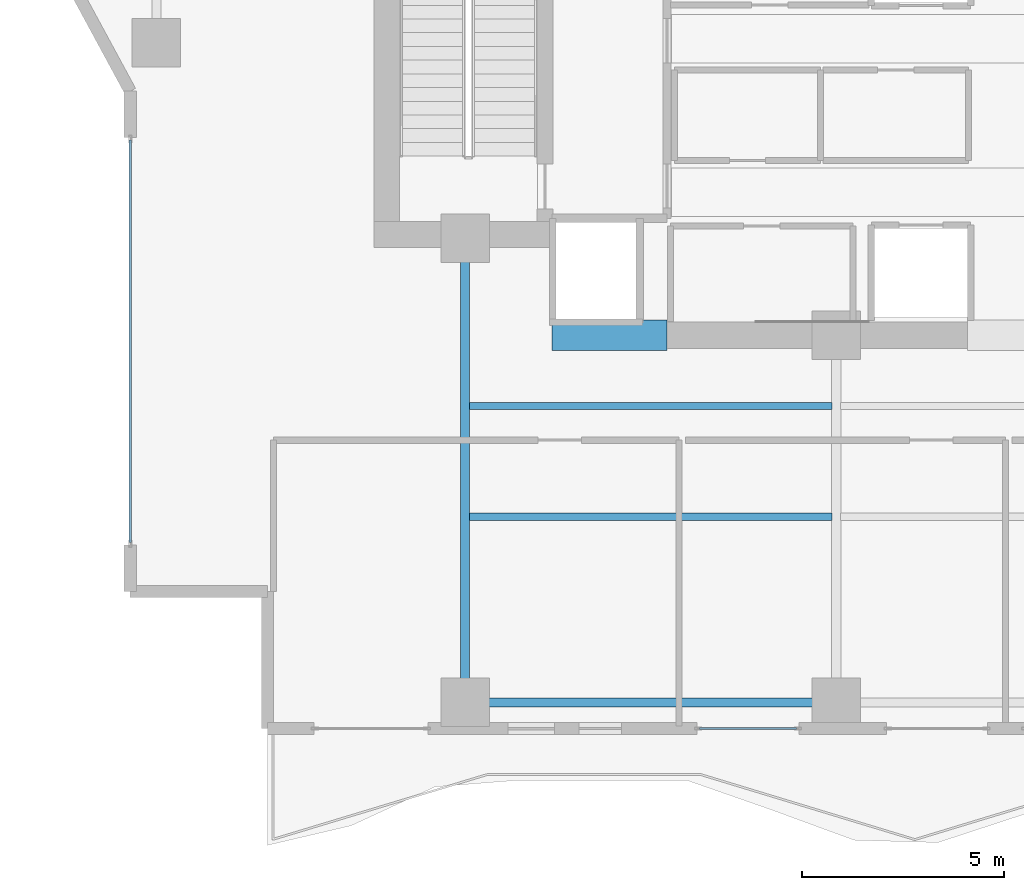
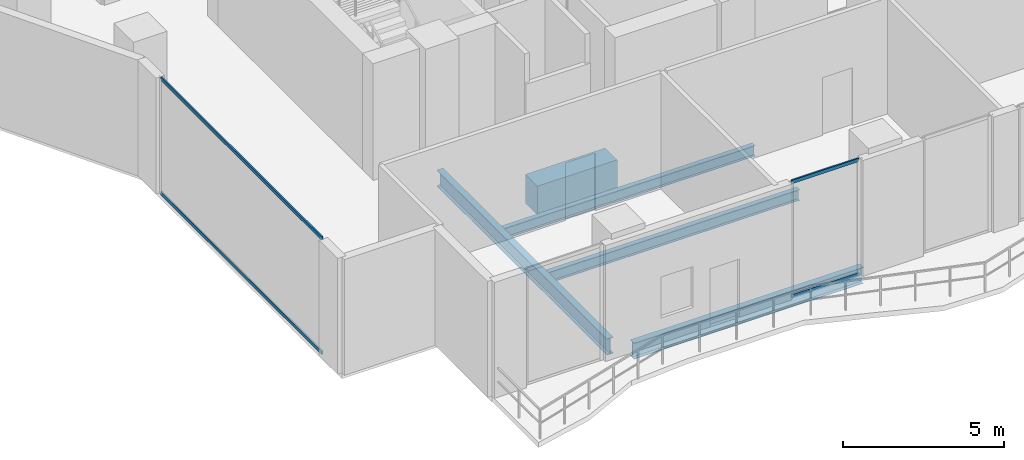
# One storey, part 3 of 31: 5 beams, 4 members, 2 elements without a shape of their own.
"""IFC4 building model written with IfcOpenShell, lengths in metres."""

from ifc_helpers import new_model, si_unit, direction, frame, origin, origin_2d, place, context, subcontext, project, spatial, rectangle, hollow_rectangle, i_section, extrude, material, layer, layer_set, material_profile, profile_set, type_object, element, aggregate, save


model = new_model("IFC4")

# Units and contexts
model_context = context("Model", 3, precision=1e-05, world=origin(), true_north=direction((0.0, 1.0)))
body_context = subcontext(model_context, "Body", "Model", "MODEL_VIEW")
ifc_project = project(units=[si_unit("LENGTHUNIT", "METRE"), si_unit("AREAUNIT", "SQUARE_METRE"), si_unit("VOLUMEUNIT", "CUBIC_METRE"), si_unit("PLANEANGLEUNIT", "RADIAN"), si_unit("MASSUNIT", "GRAM", prefix="KILO")], contexts=[model_context])

# Site, building, storey
site_placement = place(None, origin())
site = spatial("IfcSite", under=ifc_project, at=site_placement, CompositionType="ELEMENT")
building_placement = place(site_placement, origin())
building = spatial("IfcBuilding", under=site, at=building_placement, Name="Zuhayl Quay Hotel", CompositionType="ELEMENT")
storey_placement = place(building_placement, frame((0.0, 0.0, 172.800048828125)))
storey = spatial("IfcBuildingStorey", under=building, at=storey_placement, Name="L43", CompositionType="ELEMENT", Elevation=172.800048828125)

# Beams
ifc_material_1 = material(Name="Steel ASTM A992 Grade 50", Category="steel")
ifc_material_profile_1 = material_profile(ifc_material_1, i_section(OverallWidth=0.22802734375, OverallDepth=0.60693359375, WebThickness=0.01123046875, FlangeThickness=0.017333984375, at=origin_2d()), Name="W24X76")
ifc_profile_set_1 = profile_set([ifc_material_profile_1], Name="Steel ASTM A992 Grade 50")
beam_type_1 = type_object("IfcBeamType", Name="BM_B3_W24X76", PredefinedType="BEAM", material=ifc_profile_set_1)
beam_1_placement = place(storey_placement, frame((-13.300048828125, -6.949951171875, -0.5234375), z_axis=(1.0, 0.0, 0.0), x_axis=(0.0, 1.0, 0.0)))
element("IfcBeam", 1, at=beam_1_placement, inside=storey, type_object=beam_type_1, Name="L43 Floor Beam RG_L43_01", PredefinedType="BEAM", context=body_context, shape_type="SweptSolid", body=[
    extrude(i_section(OverallWidth=0.22802734375, OverallDepth=0.60693359375, WebThickness=0.01123046875, FlangeThickness=0.017333984375, at=origin_2d()), origin(), (0.0, 0.0, 1.0), 8.199951171875),
])
beam_2_placement = place(storey_placement, frame((-13.800048828125, -6.449951171875, -0.5234375), z_axis=(0.0, 1.0, 0.0), x_axis=(-1.0, 0.0, 0.0)))
element("IfcBeam", 2, at=beam_2_placement, inside=storey, type_object=beam_type_1, Name="L43 Floor Beam FG_S_L43_1", PredefinedType="BEAM", context=body_context, shape_type="SweptSolid", body=[
    extrude(i_section(OverallWidth=0.22802734375, OverallDepth=0.60693359375, WebThickness=0.01123046875, FlangeThickness=0.017333984375, at=origin_2d()), origin(), (0.0, 0.0, 1.0), 10.550048828125),
])
ifc_material_2 = material(Name="Concrete C60/75", Category="concrete")
ifc_material_profile_2 = material_profile(ifc_material_2, rectangle(XDim=0.75, YDim=1.10009765625, at=origin_2d()), Name="RC750X1100")
ifc_profile_set_2 = profile_set([ifc_material_profile_2], Name="Concrete C60/75")
beam_type_2 = type_object("IfcBeamType", Name="BM_CB2_RC750", PredefinedType="T_BEAM", material=ifc_profile_set_2)
beam_3_placement = place(storey_placement, frame((-11.64990234375, 2.14990234375, -0.77001953125), z_axis=(1.0, 0.0, 0.0), x_axis=(0.0, 1.0, 0.0)))
element("IfcBeam", 3, at=beam_3_placement, inside=storey, type_object=beam_type_2, Name="L43 Core Coupling Beam SW", PredefinedType="T_BEAM", context=body_context, shape_type="SweptSolid", body=[
    extrude(rectangle(XDim=0.75, YDim=1.10009765625, at=origin_2d()), origin(), (0.0, 0.0, 1.0), 2.849853515625),
])
ifc_material_profile_3 = material_profile(ifc_material_1, i_section(OverallWidth=0.177978515625, OverallDepth=0.406005859375, WebThickness=0.0078125, FlangeThickness=0.0126953125, at=origin_2d()), Name="W16X40")
ifc_profile_set_3 = profile_set([ifc_material_profile_3], Name="Steel ASTM A992 Grade 50")
beam_type_3 = type_object("IfcBeamType", Name="BM_J2B_W16X40", PredefinedType="JOIST", material=ifc_profile_set_3)
for number, where, z_axis, x_axis, name in (
    (4, (-13.694091796875, -2.35009765625, -0.423095703125), (1.0, 0.0, 0.0), (0.0, 1.0, 0.0), "L43 Floor Beam FJ_L43_7_1"),
    (5, (-13.694091796875, 0.39990234375, -0.423095703125), (1.0, 0.0, 0.0), (0.0, 1.0, 0.0), "L43 Floor Beam FJ_L43_8_1"),
):
    element("IfcBeam", number, at=place(storey_placement, frame(where, z_axis=z_axis, x_axis=x_axis)), inside=storey, type_object=beam_type_3, Name=name, PredefinedType="JOIST", context=body_context, shape_type="SweptSolid", body=[
        extrude(i_section(OverallWidth=0.177978515625, OverallDepth=0.406005859375, WebThickness=0.0078125, FlangeThickness=0.0126953125, at=origin_2d()), origin(), (0.0, 0.0, 1.0), 8.988037109375),
    ])

# Curtain wall, members
ifc_material_3 = material(Name="Anodised Aluminium 6063-T6", Category="aluminium")
ifc_layer = layer(ifc_material_3, 0.175048828125, Name="Anodised Aluminium 6063-T6", Category="aluminium")
ifc_layer_set = layer_set([ifc_layer], Name="Anodised Aluminium 6063-T6")
curtain_wall_type = type_object("IfcCurtainWallType", Name="CW_SYS_Z3", PredefinedType="USERDEFINED", material=ifc_layer_set)
curtain_wall_1_placement = place(storey_placement, origin())
curtain_wall_1 = element("IfcCurtainWall", 6, at=curtain_wall_1_placement, inside=storey, type_object=curtain_wall_type, Name="L43 Curtain Wall ENV_L43_E02_CW1", ObjectType="UNITISED CURTAIN WALL", PredefinedType="USERDEFINED")
ifc_material_4 = material(Name="Black-anodised aluminium 6063-T6", Category="aluminium")
ifc_material_profile_4 = material_profile(ifc_material_4, hollow_rectangle(XDim=0.054931640625, YDim=0.1298828125, WallThickness=0.0029296875, at=origin_2d()), Name="ALU130X55")
ifc_profile_set_4 = profile_set([ifc_material_profile_4], Name="Black-anodised aluminium 6063-T6")
member_type = type_object("IfcMemberType", Name="MB_CW_TRN_130", PredefinedType="USERDEFINED", material=ifc_profile_set_4)
member_1_placement = place(storey_placement, frame((-22.10009765625, -2.985107421875, 0.02734375), z_axis=(0.0, 1.0, 0.0), x_axis=(-1.0, 0.0, 0.0)))
member_1 = element("IfcMember", 7, at=member_1_placement, type_object=member_type, Name="CW-Z3 transom 1.1", ObjectType="TRANSOM", PredefinedType="USERDEFINED", context=body_context, shape_type="SweptSolid", body=[
    extrude(hollow_rectangle(XDim=0.054931640625, YDim=0.1298828125, WallThickness=0.0029296875, at=origin_2d()), origin(), (0.0, 0.0, 1.0), 9.97021484375),
])
member_2_placement = place(storey_placement, frame((-22.10009765625, -2.985107421875, 4.3525390625), z_axis=(0.0, 1.0, 0.0), x_axis=(-1.0, 0.0, 0.0)))
member_2 = element("IfcMember", 8, at=member_2_placement, type_object=member_type, Name="CW-Z3 transom 1.2", ObjectType="TRANSOM", PredefinedType="USERDEFINED", context=body_context, shape_type="SweptSolid", body=[
    extrude(hollow_rectangle(XDim=0.054931640625, YDim=0.1298828125, WallThickness=0.0029296875, at=origin_2d()), origin(), (0.0, 0.0, 1.0), 9.97021484375),
])
aggregate(curtain_wall_1, [member_1, member_2])

curtain_wall_2_placement = place(storey_placement, origin())
curtain_wall_2 = element("IfcCurtainWall", 9, at=curtain_wall_2_placement, inside=storey, type_object=curtain_wall_type, Name="L43 Curtain Wall ENV_L43_S_CW5", ObjectType="UNITISED CURTAIN WALL", PredefinedType="USERDEFINED")
member_3_placement = place(storey_placement, frame((-5.5849609375, -7.60009765625, 0.02734375), z_axis=(-1.0, 0.0, 0.0), x_axis=(0.0, -1.0, 0.0)))
member_3 = element("IfcMember", 10, at=member_3_placement, type_object=member_type, Name="CW-Z3 transom 1.1", ObjectType="TRANSOM", PredefinedType="USERDEFINED", context=body_context, shape_type="SweptSolid", body=[
    extrude(hollow_rectangle(XDim=0.054931640625, YDim=0.1298828125, WallThickness=0.0029296875, at=origin_2d()), origin(), (0.0, 0.0, 1.0), 2.400146484375),
])
member_4_placement = place(storey_placement, frame((-5.5849609375, -7.60009765625, 4.3525390625), z_axis=(-1.0, 0.0, 0.0), x_axis=(0.0, -1.0, 0.0)))
member_4 = element("IfcMember", 11, at=member_4_placement, type_object=member_type, Name="CW-Z3 transom 1.2", ObjectType="TRANSOM", PredefinedType="USERDEFINED", context=body_context, shape_type="SweptSolid", body=[
    extrude(hollow_rectangle(XDim=0.054931640625, YDim=0.1298828125, WallThickness=0.0029296875, at=origin_2d()), origin(), (0.0, 0.0, 1.0), 2.400146484375),
])
aggregate(curtain_wall_2, [member_3, member_4])

save(model, "model.ifc")
